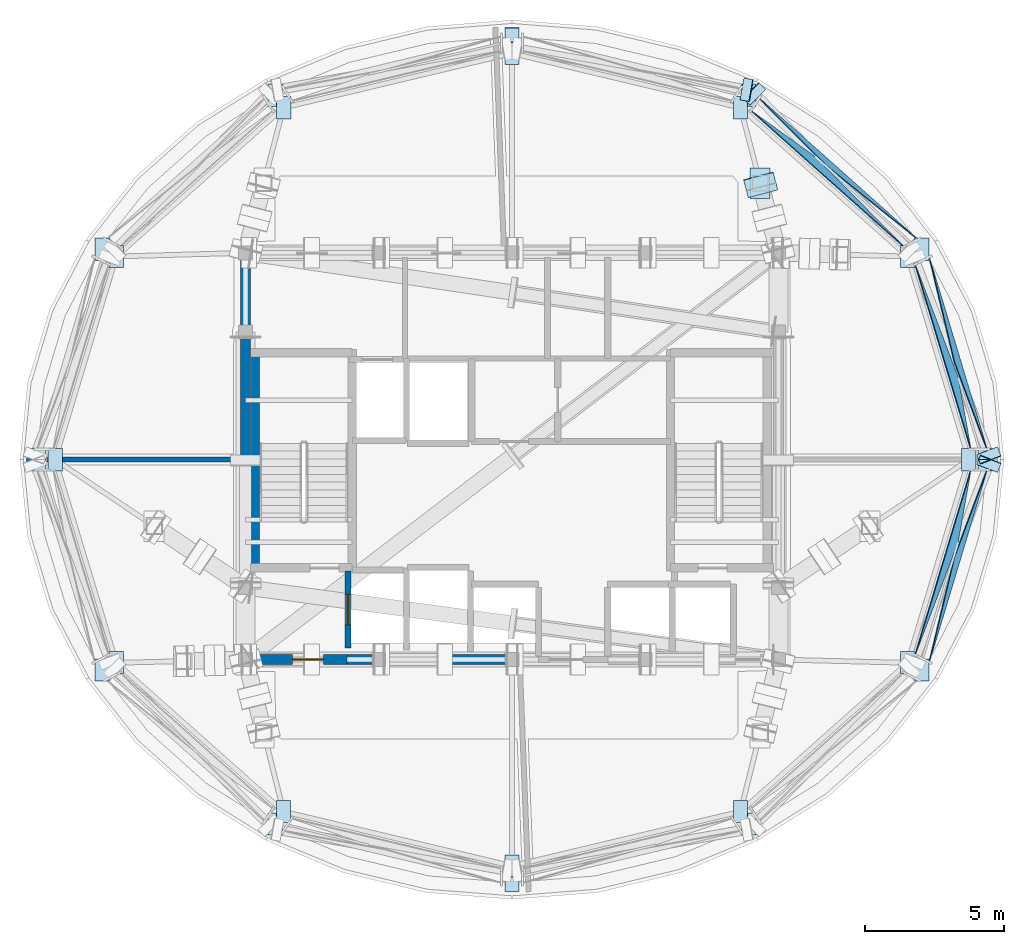
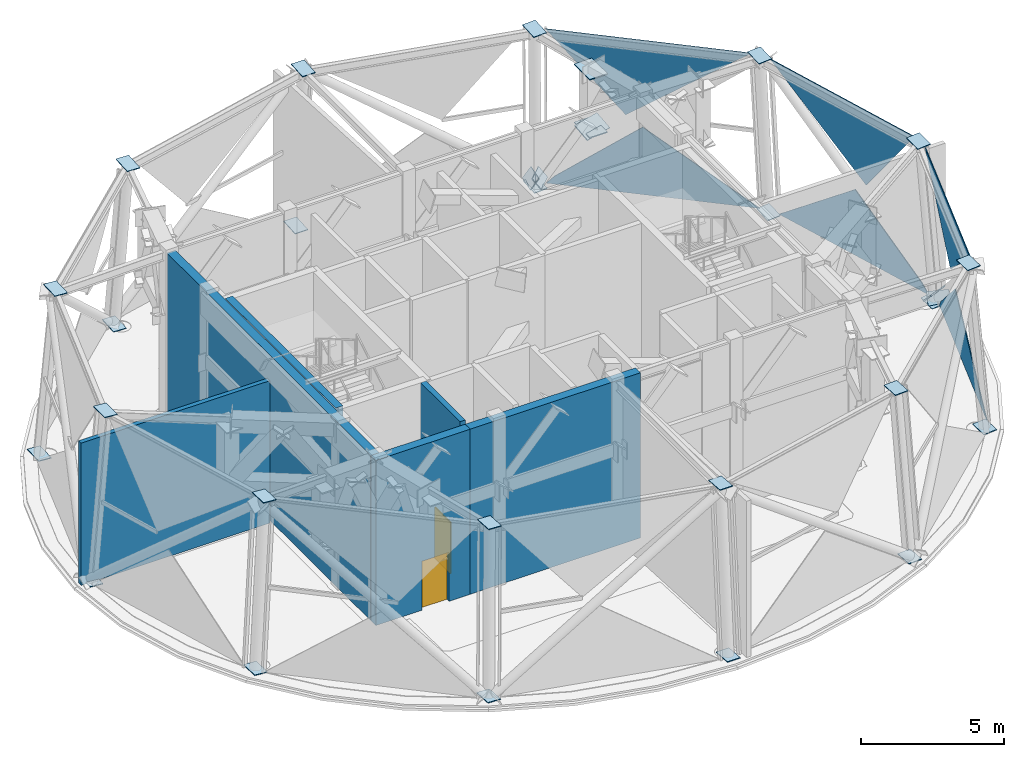
# One storey, part 7 of 12: 37 plates, 6 walls, 2 doors, 2 openings, 3 elements without a shape of their own.
"""IFC4 building model written with IfcOpenShell, lengths in metres."""

from ifc_helpers import new_model, si_unit, direction, frame, frame_2d, origin, place, context, subcontext, project, spatial, polyline, rectangle, outline, extrude, material, layer, layer_set, type_object, element, fill, aggregate, save


model = new_model("IFC4")

# Units and contexts
model_context = context("Model", 3, precision=1e-05, world=origin(), true_north=direction((0.0, 1.0)))
body_context = subcontext(model_context, "Body", "Model", "MODEL_VIEW")
ifc_project = project(units=[si_unit("LENGTHUNIT", "METRE"), si_unit("AREAUNIT", "SQUARE_METRE"), si_unit("VOLUMEUNIT", "CUBIC_METRE"), si_unit("PLANEANGLEUNIT", "RADIAN"), si_unit("MASSUNIT", "GRAM", prefix="KILO")], contexts=[model_context])

# Site, building, storey
site_placement = place(None, origin())
site = spatial("IfcSite", under=ifc_project, at=site_placement, CompositionType="ELEMENT")
building_placement = place(site_placement, origin())
building = spatial("IfcBuilding", under=site, at=building_placement, Name="Vantalir Tower", CompositionType="ELEMENT")
storey_placement = place(building_placement, frame((0.0, 0.0, 304.5)))
storey = spatial("IfcBuildingStorey", under=building, at=storey_placement, Name="L76", CompositionType="ELEMENT", Elevation=304.5)

# Curtain wall, plates
ifc_material_1 = material(Name="Champagne-silver PVDF aluminium and double-silver Low-E glass", Category="aluminium")
ifc_layer_1 = layer(ifc_material_1, 0.25)
ifc_layer_set_1 = layer_set([ifc_layer_1], Name="Champagne-silver PVDF aluminium and double-silver Low-E glass")
curtain_wall_type = type_object("IfcCurtainWallType", Name="CW-CROWN-PT", PredefinedType="USERDEFINED", material=ifc_layer_set_1)
curtain_wall_1_placement = place(storey_placement, origin())
curtain_wall_1 = element("IfcCurtainWall", 1, at=curtain_wall_1_placement, inside=storey, type_object=curtain_wall_type, Name="L76 Quilted Pyramid-Diamond Curtain Wall S01", ObjectType="UNITISED CURTAIN WALL", PredefinedType="USERDEFINED")
ifc_material_2 = material(Name="Faceted crown Low-E glass IGU", Category="glass")
ifc_layer_2 = layer(ifc_material_2, 0.033935546875)
ifc_layer_set_2 = layer_set([ifc_layer_2], Name="Faceted crown Low-E glass IGU")
plate_type_1 = type_object("IfcPlateType", Name="CWP-IGU-CRN-34", PredefinedType="CURTAIN_PANEL", material=ifc_layer_set_2)
plate_1_placement = place(storey_placement, frame((48.623291015625, 25.386962890625, 0.050048828125), z_axis=(0.954997413284, 0.287364744972, 0.073494516587), x_axis=(-0.288136892091, 0.957589223669, -0.0001006392)))
plate_1 = element("IfcPlate", 2, at=plate_1_placement, type_object=plate_type_1, Name="CW-L76-S01 Pyramid Diamond Facet 1L", PredefinedType="CURTAIN_PANEL", context=body_context, shape_type="SweptSolid", body=[
    extrude(outline(polyline([(0.0, 0.0), (7.208580734828691, -2.7647155398380363e-17), (3.33433636468784, 3.0368687363441875), (0.3031407747718152, 0.3809505128534992), (0.0, 0.0)])), origin(), (0.0, 0.0, -1.0), 0.033935546875),
])
plate_2_placement = place(storey_placement, frame((46.038818359375, 32.02783203125, 7.0205078125), z_axis=(0.953955181381, 0.287043198554, 0.087038578116), x_axis=(0.288145528503, -0.957586624411, -0.000105612289)))
plate_2 = element("IfcPlate", 3, at=plate_2_placement, type_object=plate_type_1, Name="CW-L76-S01 Pyramid Diamond Facet 2U", PredefinedType="CURTAIN_PANEL", context=body_context, shape_type="SweptSolid", body=[
    extrude(outline(polyline([(0.0, 0.0), (6.935006161675333, -3.686287386450715e-18), (4.33480791923501, 3.483710359966153), (0.0, 0.0)])), origin(), (0.0, 0.0, -1.0), 0.033935546875),
])
aggregate(curtain_wall_1, [plate_1, plate_2])

curtain_wall_2_placement = place(storey_placement, origin())
curtain_wall_2 = element("IfcCurtainWall", 4, at=curtain_wall_2_placement, inside=storey, type_object=curtain_wall_type, Name="L76 Quilted Pyramid-Diamond Curtain Wall S02", ObjectType="UNITISED CURTAIN WALL", PredefinedType="USERDEFINED")
plate_3_placement = place(storey_placement, frame((46.127685546875, 32.94580078125, 0.049072265625), z_axis=(0.663493878965, 0.744952634524, 0.069436625004), x_axis=(-0.746759466525, 0.6650941963, 9.5934364e-05)))
plate_3 = element("IfcPlate", 5, at=plate_3_placement, type_object=plate_type_1, Name="CW-L76-S02 Pyramid Diamond Facet 1L", PredefinedType="CURTAIN_PANEL", context=body_context, shape_type="SweptSolid", body=[
    extrude(outline(polyline([(0.0, 0.0), (7.641079914454455, 2.0274580625478933e-17), (7.351139923939033, 0.348769389270973), (4.150008697434218, 3.040388159549212), (0.0, 0.0)])), origin(), (0.0, 0.0, -1.0), 0.033935546875),
])
plate_4_placement = place(storey_placement, frame((40.129150390625, 37.574462890625, 7.020263671875), z_axis=(0.662766432912, 0.74420598863, 0.083054812582), x_axis=(0.74678246686, -0.665068374515, 6.6407227e-05)))
plate_4 = element("IfcPlate", 6, at=plate_4_placement, type_object=plate_type_1, Name="CW-L76-S02 Pyramid Diamond Facet 2U", PredefinedType="CURTAIN_PANEL", context=body_context, shape_type="SweptSolid", body=[
    extrude(outline(polyline([(0.0, 0.0), (7.352833041139266, -3.458604930228759e-17), (2.808689742275363, 3.4829232177288705), (0.0, 0.0)])), origin(), (0.0, 0.0, -1.0), 0.033935546875),
])
aggregate(curtain_wall_2, [plate_3, plate_4])

curtain_wall_3_placement = place(storey_placement, origin())
curtain_wall_3 = element("IfcCurtainWall", 7, at=curtain_wall_3_placement, inside=storey, type_object=curtain_wall_type, Name="L76 Quilted Pyramid-Diamond Curtain Wall S12", ObjectType="UNITISED CURTAIN WALL", PredefinedType="USERDEFINED")
plate_5_placement = place(storey_placement, frame((46.546142578125, 17.710205078125, 0.04931640625), z_axis=(0.954997413284, -0.287364744972, 0.073494516587), x_axis=(0.288136892091, 0.957589223669, 0.0001006392)))
plate_5 = element("IfcPlate", 8, at=plate_5_placement, type_object=plate_type_1, Name="CW-L76-S12 Pyramid Diamond Facet 1L", PredefinedType="CURTAIN_PANEL", context=body_context, shape_type="SweptSolid", body=[
    extrude(outline(polyline([(0.0, 0.0), (7.208580734828691, 2.7647155398380363e-17), (6.905439960056875, 0.3809505128534993), (3.8742443701408504, 3.0368687363441875), (0.0, 0.0)])), origin(), (0.0, 0.0, -1.0), 0.033935546875),
])
plate_6_placement = place(storey_placement, frame((48.037109375, 24.613037109375, 7.019775390625), z_axis=(0.953955181381, -0.287043198554, 0.087038578116), x_axis=(-0.288145528503, -0.957586624411, 0.000105612289)))
plate_6 = element("IfcPlate", 9, at=plate_6_placement, type_object=plate_type_1, Name="CW-L76-S12 Pyramid Diamond Facet 2U", PredefinedType="CURTAIN_PANEL", context=body_context, shape_type="SweptSolid", body=[
    extrude(outline(polyline([(0.0, 0.0), (6.935006161675333, 3.686287386450715e-18), (2.600198242440322, 3.4837103599661536), (0.0, 0.0)])), origin(), (0.0, 0.0, -1.0), 0.033935546875),
])
aggregate(curtain_wall_3, [plate_5, plate_6])

# Plates
ifc_material_3 = material(Name="Steel S460", Category="steel")
ifc_layer_3 = layer(ifc_material_3, 0.044921875)
ifc_layer_set_3 = layer_set([ifc_layer_3], Name="Steel S460")
plate_type_2 = type_object("IfcPlateType", Name="PLT-BN-01", PredefinedType="USERDEFINED", material=ifc_layer_set_3)
plate_7_placement = place(storey_placement, frame((40.01025390625, 34.44091796875, 4.181884765625), z_axis=(0.112285823086, -0.429157301912, 0.896223133014), x_axis=(0.967456183722, 0.253038595387, -4.2682465e-05)))
element("IfcPlate", 10, at=plate_7_placement, inside=storey, type_object=plate_type_2, Name="Node Cap Plate MEM-L76-ORDG-03B End", ObjectType="FLANGE_PLATE", PredefinedType="USERDEFINED", context=body_context, shape_type="SweptSolid", body=[
    extrude(outline(polyline([(0.0, 0.0), (1.1000013436492388, 0.0), (1.0999368106485283, 0.7199737200679142), (-0.00012631000153746485, 0.7197620351546657), (0.0, 0.0)])), origin(), (0.0, 0.0, -1.0), 0.044921875),
])
for number, where, z_axis, x_axis, name in (
    (11, (40.0830078125, 35.510009765625, 4.2880859375), (0.0, 0.0, 1.0), (0.0, -1.0, 0.0), "Node Cap Plate MEM-L76-ORVP-03 Start"),
    (12, (40.0830078125, 35.510009765625, 6.777099609375), (0.0, 0.0, 1.0), (0.0, -1.0, 0.0), "Node Cap Plate MEM-L76-ORVP-03 End"),
):
    element("IfcPlate", number, at=place(storey_placement, frame(where, z_axis=z_axis, x_axis=x_axis)), inside=storey, type_object=plate_type_2, Name=name, ObjectType="FLANGE_PLATE", PredefinedType="USERDEFINED", context=body_context, shape_type="SweptSolid", body=[
        extrude(outline(polyline([(0.0, 0.0), (1.10009765625, 0.0), (1.10009765625, 0.719970703125), (0.0, 0.719970703125), (0.0, 0.0)])), origin(), (0.0, 0.0, -1.0), 0.044921875),
    ])
ifc_layer_4 = layer(ifc_material_3, 0.031982421875)
ifc_layer_set_4 = layer_set([ifc_layer_4], Name="Steel S460")
plate_type_3 = type_object("IfcPlateType", Name="PLT-KN-Z3", PredefinedType="USERDEFINED", material=ifc_layer_set_4)
plate_8_placement = place(storey_placement, frame((47.701904296875, 25.39990234375, 7.072509765625), z_axis=(-0.082618137027, 0.0, 0.996581277887), x_axis=(0.0, -1.0, 0.0)))
element("IfcPlate", 13, at=plate_8_placement, inside=storey, type_object=plate_type_3, Name="L76 Ring Column Top Cap RC01", ObjectType="FLANGE_PLATE", PredefinedType="USERDEFINED", context=body_context, shape_type="SweptSolid", body=[
    extrude(outline(polyline([(0.0, 0.0), (0.7998046875, 0.0), (0.7998046875, 0.5200885852221947), (0.0, 0.5200885852221947), (0.0, 0.0)])), origin(), (0.0, 0.0, -1.0), 0.031982421875),
])
plate_9_placement = place(storey_placement, frame((48.28662109375, 25.39990234375, 0.03125), z_axis=(-0.082656805175, 0.0, 0.996578071482), x_axis=(0.0, -1.0, 0.0)))
element("IfcPlate", 14, at=plate_9_placement, inside=storey, type_object=plate_type_3, Name="L76 Ring Column Base Cap RC01", ObjectType="FLANGE_PLATE", PredefinedType="USERDEFINED", context=body_context, shape_type="SweptSolid", body=[
    extrude(outline(polyline([(0.0, 0.0), (0.7998046875, 0.0), (0.7998046875, 0.5198452796374634), (0.0, 0.5198452796374634), (0.0, 0.0)])), origin(), (0.0, 0.0, -1.0), 0.031982421875),
])
plate_10_placement = place(storey_placement, frame((45.495849609375, 32.719482421875, 7.090087890625), z_axis=(-0.071626877496, -0.036984146802, 0.996745586048), x_axis=(1.049142e-05, -0.999312351022, -0.037078632443)))
element("IfcPlate", 15, at=plate_10_placement, inside=storey, type_object=plate_type_3, Name="L76 Ring Column Top Cap RC02", ObjectType="FLANGE_PLATE", PredefinedType="USERDEFINED", context=body_context, shape_type="SweptSolid", body=[
    extrude(outline(polyline([(0.0, 0.0), (0.7998620976008839, 0.0), (0.7999554121129334, 0.5201263818633813), (-0.00015971063039810587, 0.5201432111216763), (0.0, 0.0)])), origin(), (0.0, 0.0, -1.0), 0.031982421875),
])
plate_11_placement = place(storey_placement, frame((46.0029296875, 32.98046875, 0.049072265625), z_axis=(-0.071660426999, -0.036984057449, 0.996743177903), x_axis=(-1.0492989e-05, -0.999312295134, -0.037080138679)))
element("IfcPlate", 16, at=plate_11_placement, inside=storey, type_object=plate_type_3, Name="L76 Ring Column Base Cap RC02", ObjectType="FLANGE_PLATE", PredefinedType="USERDEFINED", context=body_context, shape_type="SweptSolid", body=[
    extrude(outline(polyline([(0.0, 0.0), (0.8001151229203625, 0.0), (0.7999444718337254, 0.5198996983323576), (8.237440989943695e-05, 0.5198828665158743), (0.0, 0.0)])), origin(), (0.0, 0.0, -1.0), 0.031982421875),
])
plate_12_placement = place(storey_placement, frame((39.47119140625, 38.077392578125, 7.10888671875), z_axis=(-0.041179603687, -0.063881962674, 0.997107484219), x_axis=(-6.265456e-06, -0.997953971816, -0.063936453588)))
element("IfcPlate", 17, at=plate_12_placement, inside=storey, type_object=plate_type_3, Name="L76 Ring Column Top Cap RC03", ObjectType="FLANGE_PLATE", PredefinedType="USERDEFINED", context=body_context, shape_type="SweptSolid", body=[
    extrude(outline(polyline([(0.0, 0.0), (0.799984409934523, 0.0), (0.8000693667277831, 0.5199773281886202), (0.00010056627899934106, 0.519967295242134), (0.0, 0.0)])), origin(), (0.0, 0.0, -1.0), 0.031982421875),
])
plate_13_placement = place(storey_placement, frame((39.762939453125, 38.528564453125, 0.067626953125), z_axis=(-0.041413459511, -0.063729504261, 0.997107554709), x_axis=(0.0, -0.997963713083, -0.063784225087)))
element("IfcPlate", 18, at=plate_13_placement, inside=storey, type_object=plate_type_3, Name="L76 Ring Column Base Cap RC03", ObjectType="FLANGE_PLATE", PredefinedType="USERDEFINED", context=body_context, shape_type="SweptSolid", body=[
    extrude(outline(polyline([(0.0, 0.0), (0.7999688097714862, 4.336808689942018e-19), (0.80006030646847, 0.5199773413248595), (9.149669698383343e-05, 0.5199773413248595), (0.0, 0.0)])), origin(), (0.0, 0.0, -1.0), 0.031982421875),
])
plate_14_placement = place(storey_placement, frame((31.239990234375, 40.037109375, 7.12353515625), z_axis=(0.0, -0.073849204258, 0.99726941948), x_axis=(0.0, -0.99726941948, -0.073849204258)))
element("IfcPlate", 19, at=plate_14_placement, inside=storey, type_object=plate_type_3, Name="L76 Ring Column Top Cap RC04", ObjectType="FLANGE_PLATE", PredefinedType="USERDEFINED", context=body_context, shape_type="SweptSolid", body=[
    extrude(outline(polyline([(0.0, 0.0), (0.8000361255595384, 0.0), (0.8000361255595384, 0.52001953125), (0.0, 0.52001953125), (0.0, 0.0)])), origin(), (0.0, 0.0, -1.0), 0.031982421875),
])
plate_15_placement = place(storey_placement, frame((31.239990234375, 40.55908203125, 0.08251953125), z_axis=(0.0, -0.074152691722, 0.997246899374), x_axis=(0.0, -0.997246899374, -0.074152691722)))
element("IfcPlate", 20, at=plate_15_placement, inside=storey, type_object=plate_type_3, Name="L76 Ring Column Base Cap RC04", ObjectType="FLANGE_PLATE", PredefinedType="USERDEFINED", context=body_context, shape_type="SweptSolid", body=[
    extrude(outline(polyline([(0.0, 0.0), (0.8000541921976495, 0.0), (0.8000541921976495, 0.52001953125), (0.0, 0.52001953125), (0.0, 0.0)])), origin(), (0.0, 0.0, -1.0), 0.031982421875),
])
plate_16_placement = place(storey_placement, frame((23.01025390625, 38.075927734375, 7.13037109375), z_axis=(0.04164736107, -0.063880723073, 0.997088135791), x_axis=(6.336502e-06, -0.997953971438, -0.063936459475)))
element("IfcPlate", 21, at=plate_16_placement, inside=storey, type_object=plate_type_3, Name="L76 Ring Column Top Cap RC05", ObjectType="FLANGE_PLATE", PredefinedType="USERDEFINED", context=body_context, shape_type="SweptSolid", body=[
    extrude(outline(polyline([(0.0, 0.0), (0.7999844099348824, 4.336808689942018e-19), (0.7998994901793309, 0.5199773281952232), (-6.931026837491859e-05, 0.5199874751055257), (0.0, 0.0)])), origin(), (0.0, 0.0, -1.0), 0.031982421875),
])
plate_17_placement = place(storey_placement, frame((22.717529296875, 38.527099609375, 0.089111328125), z_axis=(0.041413459511, -0.063729504261, 0.997107554709), x_axis=(0.0, -0.997963713083, -0.063784225087)))
element("IfcPlate", 22, at=plate_17_placement, inside=storey, type_object=plate_type_3, Name="L76 Ring Column Base Cap RC05", ObjectType="FLANGE_PLATE", PredefinedType="USERDEFINED", context=body_context, shape_type="SweptSolid", body=[
    extrude(outline(polyline([(0.0, 0.0), (0.7999688097714862, -4.336808689942018e-19), (0.7998773130745024, 0.5199773413248596), (-9.149669698383343e-05, 0.5199773413248595), (0.0, 0.0)])), origin(), (0.0, 0.0, -1.0), 0.031982421875),
])
plate_18_placement = place(storey_placement, frame((16.9853515625, 32.71826171875, 7.12744140625), z_axis=(0.071626877496, -0.036984146802, 0.996745586048), x_axis=(1.0488102e-05, -0.99931229516, -0.037080137974)))
element("IfcPlate", 23, at=plate_18_placement, inside=storey, type_object=plate_type_3, Name="L76 Ring Column Top Cap RC06", ObjectType="FLANGE_PLATE", PredefinedType="USERDEFINED", context=body_context, shape_type="SweptSolid", body=[
    extrude(outline(polyline([(0.0, 0.0), (0.800115122920321, -4.336808689942018e-19), (0.8000327485105045, 0.5201263837110618), (0.00017065108655406704, 0.5201432076473369), (0.0, 0.0)])), origin(), (0.0, 0.0, -1.0), 0.031982421875),
])
plate_19_placement = place(storey_placement, frame((16.478515625, 32.97900390625, 0.086181640625), z_axis=(0.071660426999, -0.036984057449, 0.996743177903), x_axis=(-1.0496308e-05, -0.999312351049, -0.037078631737)))
element("IfcPlate", 24, at=plate_19_placement, inside=storey, type_object=plate_type_3, Name="L76 Ring Column Base Cap RC06", ObjectType="FLANGE_PLATE", PredefinedType="USERDEFINED", context=body_context, shape_type="SweptSolid", body=[
    extrude(outline(polyline([(0.0, 0.0), (0.7998620976009252, -4.336808689942018e-19), (0.8000218082312404, 0.5198997018083241), (-9.331451196657433e-05, 0.5198828646673282), (0.0, 0.0)])), origin(), (0.0, 0.0, -1.0), 0.031982421875),
])
plate_20_placement = place(storey_placement, frame((14.77978515625, 25.39990234375, 7.115478515625), z_axis=(0.082618137027, 0.0, 0.996581277887), x_axis=(0.0, -1.0, 0.0)))
element("IfcPlate", 25, at=plate_20_placement, inside=storey, type_object=plate_type_3, Name="L76 Ring Column Top Cap RC07", ObjectType="FLANGE_PLATE", PredefinedType="USERDEFINED", context=body_context, shape_type="SweptSolid", body=[
    extrude(outline(polyline([(0.0, 0.0), (0.7998046875, 0.0), (0.7998046875, 0.5200885852221947), (0.0, 0.5200885852221947), (0.0, 0.0)])), origin(), (0.0, 0.0, -1.0), 0.031982421875),
])
plate_21_placement = place(storey_placement, frame((14.1953125, 25.39990234375, 0.07421875), z_axis=(0.082656805175, 0.0, 0.996578071482), x_axis=(0.0, -1.0, 0.0)))
element("IfcPlate", 26, at=plate_21_placement, inside=storey, type_object=plate_type_3, Name="L76 Ring Column Base Cap RC07", ObjectType="FLANGE_PLATE", PredefinedType="USERDEFINED", context=body_context, shape_type="SweptSolid", body=[
    extrude(outline(polyline([(0.0, 0.0), (0.7998046875, 0.0), (0.7998046875, 0.5198452796374634), (0.0, 0.5198452796374634), (0.0, 0.0)])), origin(), (0.0, 0.0, -1.0), 0.031982421875),
])
plate_22_placement = place(storey_placement, frame((16.9853515625, 18.081298828125, 7.09765625), z_axis=(0.071626877496, 0.036984146802, 0.996745586048), x_axis=(-1.0488102e-05, -0.99931229516, 0.037080137974)))
element("IfcPlate", 27, at=plate_22_placement, inside=storey, type_object=plate_type_3, Name="L76 Ring Column Top Cap RC08", ObjectType="FLANGE_PLATE", PredefinedType="USERDEFINED", context=body_context, shape_type="SweptSolid", body=[
    extrude(outline(polyline([(0.0, 0.0), (0.800115122920321, 4.336808689942018e-19), (0.7999444718337669, 0.520143207647337), (8.237440981654731e-05, 0.5201263837110618), (0.0, 0.0)])), origin(), (0.0, 0.0, -1.0), 0.031982421875),
])
plate_23_placement = place(storey_placement, frame((16.478515625, 17.8203125, 0.056640625), z_axis=(0.071660426999, 0.036984057449, 0.996743177903), x_axis=(1.0496308e-05, -0.999312351049, 0.037078631737)))
element("IfcPlate", 28, at=plate_23_placement, inside=storey, type_object=plate_type_3, Name="L76 Ring Column Base Cap RC08", ObjectType="FLANGE_PLATE", PredefinedType="USERDEFINED", context=body_context, shape_type="SweptSolid", body=[
    extrude(outline(polyline([(0.0, 0.0), (0.7998620976009252, 4.336808689942018e-19), (0.7999554121128919, 0.5198828646673284), (-0.00015971063031517763, 0.519899701808324), (0.0, 0.0)])), origin(), (0.0, 0.0, -1.0), 0.031982421875),
])
plate_24_placement = place(storey_placement, frame((23.00927734375, 12.722412109375, 7.0791015625), z_axis=(0.041179603687, 0.063881962674, 0.997107484219), x_axis=(6.265578e-06, -0.997954004837, 0.063935938183)))
element("IfcPlate", 29, at=plate_24_placement, inside=storey, type_object=plate_type_3, Name="L76 Ring Column Top Cap RC09", ObjectType="FLANGE_PLATE", PredefinedType="USERDEFINED", context=body_context, shape_type="SweptSolid", body=[
    extrude(outline(polyline([(0.0, 0.0), (0.7999688005116988, 0.0), (0.8000758880500748, 0.5199672939399712), (9.147817846795014e-05, 0.5199773270822255), (0.0, 0.0)])), origin(), (0.0, 0.0, -1.0), 0.031982421875),
])
plate_25_placement = place(storey_placement, frame((22.717529296875, 12.271240234375, 0.0380859375), z_axis=(0.041413459511, 0.063729504261, 0.997107554709), x_axis=(0.0, -0.997963713083, 0.063784225087)))
element("IfcPlate", 30, at=plate_25_placement, inside=storey, type_object=plate_type_3, Name="L76 Ring Column Base Cap RC09", ObjectType="FLANGE_PLATE", PredefinedType="USERDEFINED", context=body_context, shape_type="SweptSolid", body=[
    extrude(outline(polyline([(0.0, 0.0), (0.7999688097714862, 4.336808689942018e-19), (0.80006030646847, 0.5199773413248595), (9.149669698383343e-05, 0.5199773413248595), (0.0, 0.0)])), origin(), (0.0, 0.0, -1.0), 0.031982421875),
])
plate_26_placement = place(storey_placement, frame((31.239990234375, 10.7607421875, 7.064453125), z_axis=(0.0, 0.073849204258, 0.99726941948), x_axis=(0.0, -0.99726941948, 0.073849204258)))
element("IfcPlate", 31, at=plate_26_placement, inside=storey, type_object=plate_type_3, Name="L76 Ring Column Top Cap RC10", ObjectType="FLANGE_PLATE", PredefinedType="USERDEFINED", context=body_context, shape_type="SweptSolid", body=[
    extrude(outline(polyline([(0.0, 0.0), (0.8000361255595384, 0.0), (0.8000361255595384, 0.52001953125), (0.0, 0.52001953125), (0.0, 0.0)])), origin(), (0.0, 0.0, -1.0), 0.031982421875),
])
plate_27_placement = place(storey_placement, frame((31.239990234375, 10.23876953125, 0.023193359375), z_axis=(0.0, 0.074152691722, 0.997246899374), x_axis=(0.0, -0.997246899374, 0.074152691722)))
element("IfcPlate", 32, at=plate_27_placement, inside=storey, type_object=plate_type_3, Name="L76 Ring Column Base Cap RC10", ObjectType="FLANGE_PLATE", PredefinedType="USERDEFINED", context=body_context, shape_type="SweptSolid", body=[
    extrude(outline(polyline([(0.0, 0.0), (0.8000541921976495, 0.0), (0.8000541921976495, 0.52001953125), (0.0, 0.52001953125), (0.0, 0.0)])), origin(), (0.0, 0.0, -1.0), 0.031982421875),
])
plate_28_placement = place(storey_placement, frame((39.47119140625, 12.720947265625, 7.0576171875), z_axis=(-0.041179603687, 0.063881962674, 0.997107484219), x_axis=(6.265456e-06, -0.997953971816, 0.063936453588)))
element("IfcPlate", 33, at=plate_28_placement, inside=storey, type_object=plate_type_3, Name="L76 Ring Column Top Cap RC11", ObjectType="FLANGE_PLATE", PredefinedType="USERDEFINED", context=body_context, shape_type="SweptSolid", body=[
    extrude(outline(polyline([(0.0, 0.0), (0.799984409934523, 0.0), (0.7998838436555237, 0.519967295242134), (-8.495679326011706e-05, 0.5199773281886202), (0.0, 0.0)])), origin(), (0.0, 0.0, -1.0), 0.031982421875),
])
plate_29_placement = place(storey_placement, frame((39.762939453125, 12.269775390625, 0.0166015625), z_axis=(-0.041413459511, 0.063729504261, 0.997107554709), x_axis=(0.0, -0.997963713083, 0.063784225087)))
element("IfcPlate", 34, at=plate_29_placement, inside=storey, type_object=plate_type_3, Name="L76 Ring Column Base Cap RC11", ObjectType="FLANGE_PLATE", PredefinedType="USERDEFINED", context=body_context, shape_type="SweptSolid", body=[
    extrude(outline(polyline([(0.0, 0.0), (0.7999688097714862, -4.336808689942018e-19), (0.7998773130745024, 0.5199773413248596), (-9.149669698383343e-05, 0.5199773413248595), (0.0, 0.0)])), origin(), (0.0, 0.0, -1.0), 0.031982421875),
])
plate_30_placement = place(storey_placement, frame((45.495849609375, 18.079833984375, 7.060546875), z_axis=(-0.071626877496, 0.036984146802, 0.996745586048), x_axis=(-1.049142e-05, -0.999312351022, 0.037078632443)))
element("IfcPlate", 35, at=plate_30_placement, inside=storey, type_object=plate_type_3, Name="L76 Ring Column Top Cap RC12", ObjectType="FLANGE_PLATE", PredefinedType="USERDEFINED", context=body_context, shape_type="SweptSolid", body=[
    extrude(outline(polyline([(0.0, 0.0), (0.7998620976008839, 0.0), (0.8000218082312819, 0.5201432111216763), (-9.331451204949931e-05, 0.5201263818633813), (0.0, 0.0)])), origin(), (0.0, 0.0, -1.0), 0.031982421875),
])
plate_31_placement = place(storey_placement, frame((46.0029296875, 17.819091796875, 0.019287109375), z_axis=(-0.071660426999, 0.036984057449, 0.996743177903), x_axis=(1.0492989e-05, -0.999312295134, 0.037080138679)))
element("IfcPlate", 36, at=plate_31_placement, inside=storey, type_object=plate_type_3, Name="L76 Ring Column Base Cap RC12", ObjectType="FLANGE_PLATE", PredefinedType="USERDEFINED", context=body_context, shape_type="SweptSolid", body=[
    extrude(outline(polyline([(0.0, 0.0), (0.8001151229203625, 0.0), (0.800032748510463, 0.5198828665158743), (0.0001706510866369517, 0.5198996983323575), (0.0, 0.0)])), origin(), (0.0, 0.0, -1.0), 0.031982421875),
])
plate_32_placement = place(storey_placement, frame((48.9921875, 25.46240234375, 0.03369140625), z_axis=(-0.267836751355, 0.704797224571, 0.656905127747), x_axis=(-0.934777500246, -0.355233761112, 0.0)))
element("IfcPlate", 37, at=plate_32_placement, inside=storey, type_object=plate_type_3, Name="Node Cap Plate MEM-DG-L76-R01L Start", ObjectType="FLANGE_PLATE", PredefinedType="USERDEFINED", context=body_context, shape_type="SweptSolid", body=[
    extrude(outline(polyline([(0.0, 0.0), (0.7999793899384687, 2.7755575615628914e-17), (0.7999943659912903, 0.5200315086876426), (1.4976052821538688e-05, 0.5200315086876426), (0.0, 0.0)])), origin(), (0.0, 0.0, -1.0), 0.031982421875),
])
plate_33_placement = place(storey_placement, frame((48.244384765625, 24.82177734375, 0.03369140625), z_axis=(-0.267836751355, -0.704797224571, 0.656905127747), x_axis=(0.934777500246, -0.355233761112, 0.0)))
element("IfcPlate", 38, at=plate_33_placement, inside=storey, type_object=plate_type_3, Name="Node Cap Plate MEM-DG-L76-R01R Start", ObjectType="FLANGE_PLATE", PredefinedType="USERDEFINED", context=body_context, shape_type="SweptSolid", body=[
    extrude(outline(polyline([(0.0, 0.0), (0.7999793899384687, -2.7755575615628914e-17), (0.7999644138856472, 0.5200315086876426), (-1.4976052821538688e-05, 0.5200315086876426), (0.0, 0.0)])), origin(), (0.0, 0.0, -1.0), 0.031982421875),
])
plate_34_placement = place(storey_placement, frame((39.855224609375, 38.750244140625, 0.01708984375), z_axis=(-0.772885456172, 0.137518986932, 0.619464768869), x_axis=(-0.175177964811, -0.98453678481, 0.0)))
element("IfcPlate", 39, at=plate_34_placement, inside=storey, type_object=plate_type_3, Name="Node Cap Plate MEM-DG-L76-R07L Start", ObjectType="FLANGE_PLATE", PredefinedType="USERDEFINED", context=body_context, shape_type="SweptSolid", body=[
    extrude(outline(polyline([(0.0, 0.0), (0.7999677293944487, 0.0), (0.7999364356936082, 0.5199877795957982), (-3.129370084042202e-05, 0.5199877795957982), (0.0, 0.0)])), origin(), (0.0, 0.0, -1.0), 0.031982421875),
])
plate_35_placement = place(storey_placement, frame((40.0751953125, 37.77294921875, 0.02685546875), z_axis=(0.538721773716, -0.546213775784, 0.641427596591), x_axis=(0.711972718543, 0.702207126175, 0.0)))
element("IfcPlate", 40, at=plate_35_placement, inside=storey, type_object=plate_type_3, Name="Node Cap Plate MEM-DG-L76-R07R Start", ObjectType="FLANGE_PLATE", PredefinedType="USERDEFINED", context=body_context, shape_type="SweptSolid", body=[
    extrude(outline(polyline([(0.0, 0.0), (0.8000026732638517, 0.0), (0.7997711099926865, 0.5199873850958762), (-0.0002315632711652471, 0.5199873850958762), (0.0, 0.0)])), origin(), (0.0, 0.0, -1.0), 0.031982421875),
])

# Wall, opening, door
ifc_material_4 = material(Name="Concrete C50/60", Category="concrete")
ifc_layer_5 = layer(ifc_material_4, 0.35009765625)
ifc_layer_set_5 = layer_set([ifc_layer_5], Name="Concrete C50/60")
wall_type_1 = type_object("IfcWallType", Name="WL-CORE-350", PredefinedType="SHEAR", material=ifc_layer_set_5)
wall_1_placement = place(storey_placement, frame((21.72509765625, 17.800048828125, 0.0), z_axis=(0.0, 0.0, 1.0), x_axis=(1.0, 0.0, 0.0)))
wall_1 = element("IfcWall", 41, at=wall_1_placement, inside=storey, type_object=wall_type_1, Name="L76 Core Shear Wall South-West", PredefinedType="SHEAR", context=body_context, shape_type="SweptSolid", body=[
    extrude(rectangle(XDim=3.824951171875, YDim=0.35009765625, at=frame_2d((1.91259765625, 0.0))), origin(), (0.0, 0.0, 1.0), 7.070068359375),
])
opening_1_placement = place(wall_1_placement, frame((1.875, 0.0, 0.0)))
opening_1 = element("IfcOpeningElement", 42, at=opening_1_placement, cuts=wall_1, Name="Opening D-FFL", PredefinedType="OPENING", context=body_context, shape_type="SweptSolid", body=[
    extrude(rectangle(XDim=1.10009765625, YDim=2.10009765625, at=frame_2d((0.550048828125, 1.050048828125))), frame((0.0, 0.18505859375, 0.0), z_axis=(0.0, -1.0, 0.0), x_axis=(1.0, 0.0, 0.0)), (0.0, 0.0, 1.0), 0.3701171875),
])
ifc_material_5 = material(Name="Fire-rated acoustic steel door", Category="steel")
door_type_1 = type_object("IfcDoorType", Name="DR-FIRE-LOBBY-1100", OperationType="NOTDEFINED", PredefinedType="DOOR", material=ifc_material_5)
door_1_placement = place(opening_1_placement, origin())
door_1 = element("IfcDoor", 43, at=door_1_placement, inside=storey, type_object=door_type_1, Name="L76 Firefighting Lobby West Access Door", OperationType="SINGLE_SWING_LEFT", OverallHeight=2.10009765625, OverallWidth=1.10009765625, PredefinedType="DOOR", context=body_context, shape_type="SweptSolid", body=[
    extrude(rectangle(XDim=1.10009765625, YDim=2.10009765625, at=frame_2d((0.550048828125, 1.050048828125))), frame((0.0, 0.02490234375, 0.0), z_axis=(0.0, -1.0, 0.0), x_axis=(1.0, 0.0, 0.0)), (0.0, 0.0, 1.0), 0.050048828125),
])
fill(opening_1, door_1)

# Walls
wall_2_placement = place(storey_placement, frame((25.550048828125, 17.800048828125, 0.0), z_axis=(0.0, 0.0, 1.0), x_axis=(1.0, 0.0, 0.0)))
element("IfcWall", 44, at=wall_2_placement, inside=storey, type_object=wall_type_1, Name="L76 Core Shear Wall South-Mid", PredefinedType="SHEAR", context=body_context, shape_type="SweptSolid", body=[
    extrude(rectangle(XDim=6.89990234375, YDim=0.35009765625, at=frame_2d((3.449951171875, 0.0))), origin(), (0.0, 0.0, 1.0), 7.070068359375),
])
wall_3_placement = place(storey_placement, frame((21.89990234375, 17.97509765625, 0.0), z_axis=(0.0, 0.0, 1.0), x_axis=(0.0, 1.0, 0.0)))
element("IfcWall", 45, at=wall_3_placement, inside=storey, type_object=wall_type_1, Name="L76 Core Shear Wall West", PredefinedType="SHEAR", context=body_context, shape_type="SweptSolid", body=[
    extrude(rectangle(XDim=14.2998046875, YDim=0.35009765625, at=frame_2d((7.14990234375, 0.0))), origin(), (0.0, 0.0, 1.0), 7.070068359375),
])

# Wall, opening, door
ifc_material_6 = material(Name="Concrete blockwork with fireboard lining", Category="masonry")
ifc_layer_6 = layer(ifc_material_6, 0.219970703125)
ifc_layer_set_6 = layer_set([ifc_layer_6], Name="Concrete blockwork with fireboard lining")
wall_type_2 = type_object("IfcWallType", Name="WL-FFL-220", PredefinedType="PARTITIONING", material=ifc_layer_set_6)
wall_4_placement = place(storey_placement, frame((25.590087890625, 18.219970703125, 0.0), z_axis=(0.0, 0.0, 1.0), x_axis=(0.0, 1.0, 0.0)))
wall_4 = element("IfcWall", 46, at=wall_4_placement, inside=storey, type_object=wall_type_2, Name="L76 Lift FL1 Shaft Front Wall", PredefinedType="PARTITIONING", context=body_context, shape_type="SweptSolid", body=[
    extrude(rectangle(XDim=2.760009765625, YDim=0.219970703125, at=frame_2d((1.3798828125, 0.0))), origin(), (0.0, 0.0, 1.0), 7.050048828125),
])
opening_2_placement = place(wall_4_placement, frame((0.830078125, 0.0, 0.0)))
opening_2 = element("IfcOpeningElement", 47, at=opening_2_placement, cuts=wall_4, Name="Opening LD-FL1", PredefinedType="OPENING", context=body_context, shape_type="SweptSolid", body=[
    extrude(rectangle(XDim=1.10009765625, YDim=2.199951171875, at=frame_2d((0.550048828125, 1.10009765625))), frame((0.0, 0.119873046875, 0.0), z_axis=(0.0, -1.0, 0.0), x_axis=(1.0, 0.0, 0.0)), (0.0, 0.0, 1.0), 0.239990234375),
])
ifc_material_7 = material(Name="Brushed stainless-steel sliding lift landing door", Category="steel")
door_type_2 = type_object("IfcDoorType", Name="DR-LIFT-LANDING-1100", OperationType="DOUBLE_DOOR_SLIDING", PredefinedType="DOOR", material=ifc_material_7)
door_2_placement = place(opening_2_placement, origin())
door_2 = element("IfcDoor", 48, at=door_2_placement, inside=storey, type_object=door_type_2, Name="L76 Lift Landing Door FL1", OperationType="DOUBLE_DOOR_SLIDING", OverallHeight=2.199951171875, OverallWidth=1.10009765625, PredefinedType="DOOR", context=body_context, shape_type="SweptSolid", body=[
    extrude(rectangle(XDim=1.10009765625, YDim=2.199951171875, at=frame_2d((0.550048828125, 1.10009765625))), frame((0.0, 0.02490234375, 0.0), z_axis=(0.0, -1.0, 0.0), x_axis=(1.0, 0.0, 0.0)), (0.0, 0.0, 1.0), 0.050048828125),
])
fill(opening_2, door_2)

# Walls
ifc_material_8 = material(Name="Twin-stud acoustic fire-rated gypsum partition", Category="gypsum")
ifc_layer_7 = layer(ifc_material_8, 0.179931640625)
ifc_layer_set_7 = layer_set([ifc_layer_7], Name="Twin-stud acoustic fire-rated gypsum partition")
wall_type_3 = type_object("IfcWallType", Name="WL-GUEST-180", PredefinedType="PARTITIONING", material=ifc_layer_set_7)
wall_5_placement = place(storey_placement, frame((21.64990234375, 25.0, 0.0), z_axis=(0.0, 0.0, 1.0), x_axis=(-1.0, 0.0, 0.0)))
element("IfcWall", 49, at=wall_5_placement, inside=storey, type_object=wall_type_3, Name="L76 Radial Suite Partition 03", PredefinedType="PARTITIONING", context=body_context, shape_type="SweptSolid", body=[
    extrude(rectangle(XDim=7.64892578125, YDim=0.179931640625, at=frame_2d((3.824462890625, 0.0))), origin(), (0.0, 0.0, 1.0), 6.094970703125),
])
ifc_layer_8 = layer(ifc_material_4, 0.300048828125)
ifc_layer_set_8 = layer_set([ifc_layer_8], Name="Concrete C50/60")
wall_type_4 = type_object("IfcWallType", Name="WL-STAIR-300", PredefinedType="SHEAR", material=ifc_layer_set_8)
wall_6_placement = place(storey_placement, frame((22.260009765625, 21.10009765625, 0.0), z_axis=(0.0, 0.0, 1.0), x_axis=(0.0, 1.0, 0.0)))
element("IfcWall", 50, at=wall_6_placement, inside=storey, type_object=wall_type_4, Name="L76 Stair ST1 West Liner Wall", PredefinedType="SHEAR", context=body_context, shape_type="SweptSolid", body=[
    extrude(rectangle(XDim=7.75, YDim=0.300048828125, at=frame_2d((3.875, 0.0))), origin(), (0.0, 0.0, 1.0), 7.070068359375),
])

save(model, "model.ifc")
